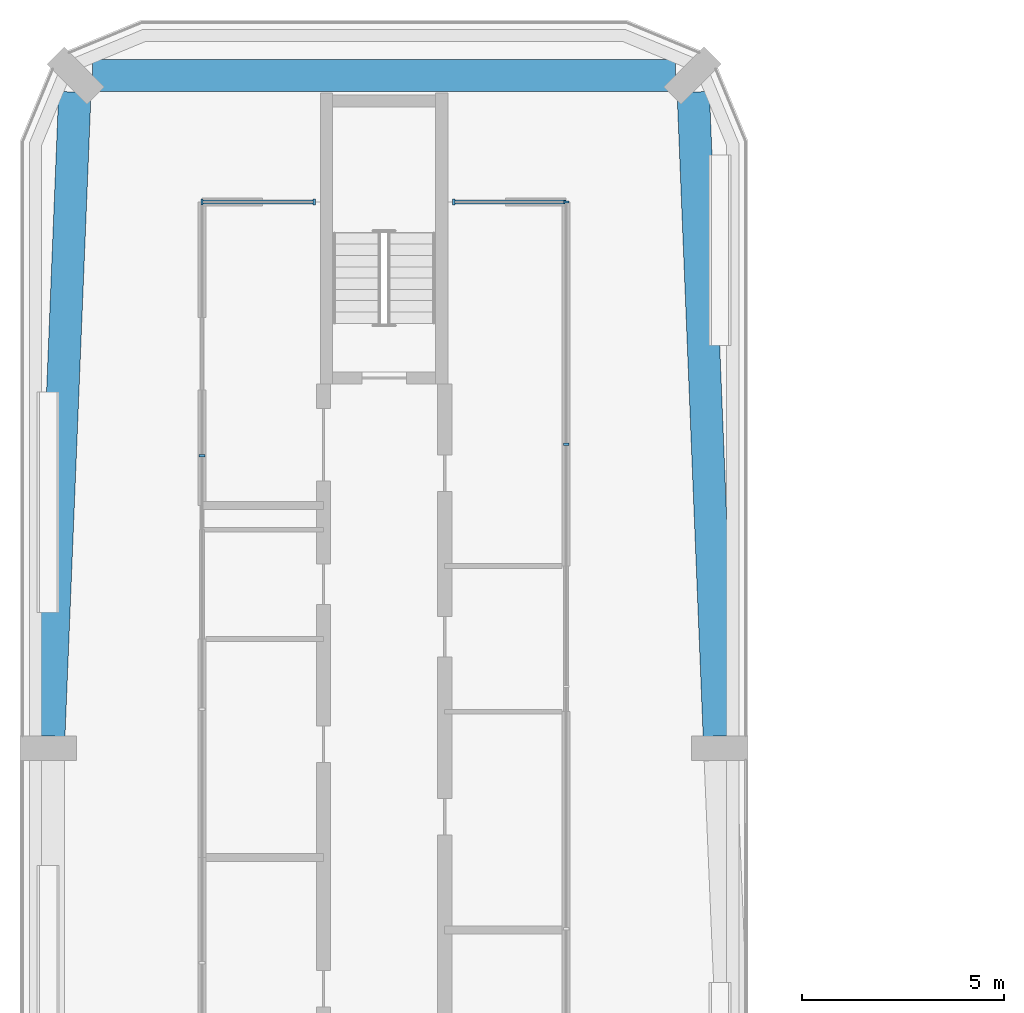
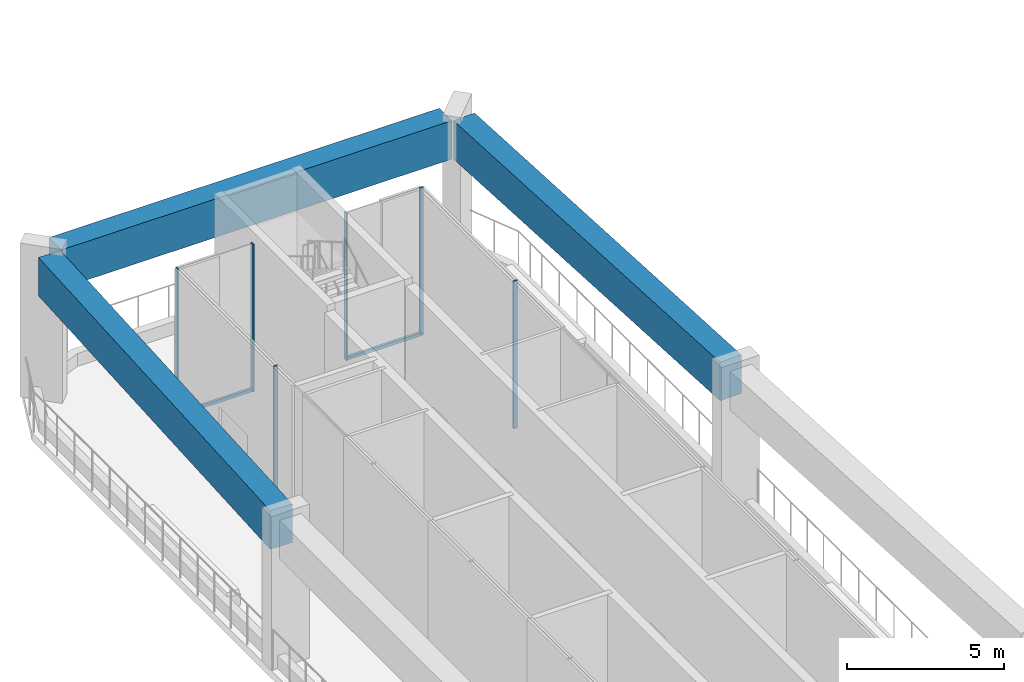
# One storey, part 7 of 24: 8 members, 3 beams, 4 elements without a shape of their own.
"""IFC4 building model written with IfcOpenShell, lengths in metres."""

from ifc_helpers import new_model, si_unit, direction, frame, origin, origin_2d, place, context, subcontext, project, spatial, rectangle, extrude, material, layer, layer_set, material_profile, profile_set, type_object, element, aggregate, save


model = new_model("IFC4")

# Units and contexts
model_context = context("Model", 3, precision=1e-05, world=origin(), true_north=direction((0.0, 1.0)))
body_context = subcontext(model_context, "Body", "Model", "MODEL_VIEW")
ifc_project = project(units=[si_unit("LENGTHUNIT", "METRE"), si_unit("AREAUNIT", "SQUARE_METRE"), si_unit("VOLUMEUNIT", "CUBIC_METRE"), si_unit("PLANEANGLEUNIT", "RADIAN"), si_unit("MASSUNIT", "GRAM", prefix="KILO")], contexts=[model_context])

# Site, building, storey
site_placement = place(None, origin())
site = spatial("IfcSite", under=ifc_project, at=site_placement, CompositionType="ELEMENT")
building_placement = place(site_placement, origin())
building = spatial("IfcBuilding", under=site, at=building_placement, Name="Plateau Cross Towers", CompositionType="ELEMENT")
storey_placement = place(building_placement, frame((0.0, 0.0, 72.300048828125)))
storey = spatial("IfcBuildingStorey", under=building, at=storey_placement, Name="L18", CompositionType="ELEMENT", Elevation=72.300048828125)

# Beams
ifc_material_1 = material(Name="Concrete C60/75", Category="concrete")
ifc_material_profile_1 = material_profile(ifc_material_1, rectangle(XDim=0.800048828125, YDim=1.5, at=origin_2d()), Name="RC 800x1500")
ifc_profile_set_1 = profile_set([ifc_material_profile_1], Name="Concrete C60/75")
beam_type = type_object("IfcBeamType", Name="Belt beam RC 800x1500", PredefinedType="BEAM", material=ifc_profile_set_1)
beam_1_placement = place(storey_placement, frame((17.287841796875, 36.300048828125, 5.0), z_axis=(-0.040487005488, 0.999180065047, 0.0), x_axis=(-0.999180065047, -0.040487005488, 0.0)))
element("IfcBeam", 1, at=beam_1_placement, inside=storey, type_object=beam_type, Name="BELT-L18-07", PredefinedType="BEAM", context=body_context, shape_type="SweptSolid", body=[
    extrude(rectangle(XDim=0.800048828125, YDim=1.5, at=origin_2d()), origin(), (0.0, 0.0, 1.0), 15.931640625),
])
beam_2_placement = place(storey_placement, frame((16.2021484375, 52.62646484375, 5.0), z_axis=(-1.0, 0.0, 0.0), x_axis=(0.0, -1.0, 0.0)))
element("IfcBeam", 2, at=beam_2_placement, inside=storey, type_object=beam_type, Name="BELT-L18-08", PredefinedType="BEAM", context=body_context, shape_type="SweptSolid", body=[
    extrude(rectangle(XDim=0.800048828125, YDim=1.5, at=origin_2d()), origin(), (0.0, 0.0, 1.0), 14.404296875),
])
beam_3_placement = place(storey_placement, frame((1.357177734375, 52.218505859375, 5.0), z_axis=(-0.040487005488, -0.999180065047, 0.0), x_axis=(0.999180065047, -0.040487005488, 0.0)))
element("IfcBeam", 3, at=beam_3_placement, inside=storey, type_object=beam_type, Name="BELT-L18-09", PredefinedType="BEAM", context=body_context, shape_type="SweptSolid", body=[
    extrude(rectangle(XDim=0.800048828125, YDim=1.5, at=origin_2d()), origin(), (0.0, 0.0, 1.0), 15.931640625),
])

# Curtain wall, member
ifc_material_2 = material(Name="Dark low-iron glass", Category="glass")
ifc_layer = layer(ifc_material_2, 0.239990234375)
ifc_layer_set = layer_set([ifc_layer], Name="Dark low-iron glass")
curtain_wall_type = type_object("IfcCurtainWallType", Name="Curtain wall flush unitised CW-B", PredefinedType="NOTDEFINED", material=ifc_layer_set)
curtain_wall_1_placement = place(storey_placement, origin())
curtain_wall_1 = element("IfcCurtainWall", 4, at=curtain_wall_1_placement, inside=storey, type_object=curtain_wall_type, Name="ENV/A/L18/inner0_45_182", PredefinedType="NOTDEFINED")
ifc_material_3 = material(Name="Black anodised aluminium", Category="aluminium")
ifc_material_profile_2 = material_profile(ifc_material_3, rectangle(XDim=0.06005859375, YDim=0.139892578125, at=origin_2d()), Name="MULLION 60x140")
ifc_profile_set_2 = profile_set([ifc_material_profile_2], Name="Black anodised aluminium")
member_type_1 = type_object("IfcMemberType", Name="Mullion 60x140 flush unitised", PredefinedType="MULLION", material=ifc_profile_set_2)
member_1_placement = place(storey_placement, frame((4.5, 43.22998046875, 0.0), z_axis=(0.0, 0.0, 1.0), x_axis=(0.0, 1.0, 0.0)))
member_1 = element("IfcMember", 5, at=member_1_placement, type_object=member_type_1, Name="CW-B mullion 5", PredefinedType="MULLION", context=body_context, shape_type="SweptSolid", body=[
    extrude(rectangle(XDim=0.06005859375, YDim=0.139892578125, at=origin_2d()), origin(), (0.0, 0.0, 1.0), 5.75),
])
aggregate(curtain_wall_1, [member_1])

# Curtain wall, members
curtain_wall_2_placement = place(storey_placement, origin())
curtain_wall_2 = element("IfcCurtainWall", 6, at=curtain_wall_2_placement, inside=storey, type_object=curtain_wall_type, Name="ENV/A/L18/inner0_45_495", PredefinedType="NOTDEFINED")
member_2_placement = place(storey_placement, frame((4.5, 49.5, 0.0), z_axis=(0.0, 0.0, 1.0), x_axis=(1.0, 0.0, 0.0)))
member_2 = element("IfcMember", 7, at=member_2_placement, type_object=member_type_1, Name="CW-B mullion 1", PredefinedType="MULLION", context=body_context, shape_type="SweptSolid", body=[
    extrude(rectangle(XDim=0.06005859375, YDim=0.139892578125, at=origin_2d()), origin(), (0.0, 0.0, 1.0), 5.75),
])
member_3_placement = place(storey_placement, frame((7.27490234375, 49.5, 0.0), z_axis=(0.0, 0.0, 1.0), x_axis=(1.0, 0.0, 0.0)))
member_3 = element("IfcMember", 8, at=member_3_placement, type_object=member_type_1, Name="CW-B mullion 2", PredefinedType="MULLION", context=body_context, shape_type="SweptSolid", body=[
    extrude(rectangle(XDim=0.06005859375, YDim=0.139892578125, at=origin_2d()), origin(), (0.0, 0.0, 1.0), 5.75),
])

# Curtain wall, member
curtain_wall_3_placement = place(storey_placement, origin())
curtain_wall_3 = element("IfcCurtainWall", 9, at=curtain_wall_3_placement, inside=storey, type_object=curtain_wall_type, Name="ENV/A/L18/inner0_107_495", PredefinedType="NOTDEFINED")
member_4_placement = place(storey_placement, frame((10.72509765625, 49.5, 0.0), z_axis=(0.0, 0.0, 1.0), x_axis=(1.0, 0.0, 0.0)))
member_4 = element("IfcMember", 10, at=member_4_placement, type_object=member_type_1, Name="CW-B mullion 1", PredefinedType="MULLION", context=body_context, shape_type="SweptSolid", body=[
    extrude(rectangle(XDim=0.06005859375, YDim=0.139892578125, at=origin_2d()), origin(), (0.0, 0.0, 1.0), 5.75),
])

# Curtain wall, members
curtain_wall_4_placement = place(storey_placement, origin())
curtain_wall_4 = element("IfcCurtainWall", 11, at=curtain_wall_4_placement, inside=storey, type_object=curtain_wall_type, Name="ENV/A/L18/inner0_135_495", PredefinedType="NOTDEFINED")
member_5_placement = place(storey_placement, frame((13.5, 49.5, 0.0), z_axis=(0.0, 0.0, 1.0), x_axis=(0.0, -1.0, 0.0)))
member_5 = element("IfcMember", 12, at=member_5_placement, type_object=member_type_1, Name="CW-B mullion 1", PredefinedType="MULLION", context=body_context, shape_type="SweptSolid", body=[
    extrude(rectangle(XDim=0.06005859375, YDim=0.139892578125, at=origin_2d()), origin(), (0.0, 0.0, 1.0), 5.75),
])
member_6_placement = place(storey_placement, frame((13.5, 43.511962890625, 0.0), z_axis=(0.0, 0.0, 1.0), x_axis=(0.0, -1.0, 0.0)))
member_6 = element("IfcMember", 13, at=member_6_placement, type_object=member_type_1, Name="CW-B mullion 2", PredefinedType="MULLION", context=body_context, shape_type="SweptSolid", body=[
    extrude(rectangle(XDim=0.06005859375, YDim=0.139892578125, at=origin_2d()), origin(), (0.0, 0.0, 1.0), 5.75),
])
aggregate(curtain_wall_4, [member_5, member_6])

# Member
ifc_material_profile_3 = material_profile(ifc_material_3, rectangle(XDim=0.10009765625, YDim=0.1201171875, at=origin_2d()), Name="TRANSOM 100x120")
ifc_profile_set_3 = profile_set([ifc_material_profile_3], Name="Black anodised aluminium")
member_type_2 = type_object("IfcMemberType", Name="Transom 100x120 flush unitised", PredefinedType="USERDEFINED", material=ifc_profile_set_3)
member_7_placement = place(storey_placement, frame((4.5, 49.5, 0.06005859375), z_axis=(1.0, 0.0, 0.0), x_axis=(0.0, 1.0, 0.0)))
member_7 = element("IfcMember", 14, at=member_7_placement, type_object=member_type_2, Name="CW-B transom", ObjectType="TRANSOM", PredefinedType="USERDEFINED", context=body_context, shape_type="SweptSolid", body=[
    extrude(rectangle(XDim=0.10009765625, YDim=0.1201171875, at=origin_2d()), origin(), (0.0, 0.0, 1.0), 2.77490234375),
])

aggregate(curtain_wall_2, [member_2, member_3, member_7])

member_8_placement = place(storey_placement, frame((10.72509765625, 49.5, 0.06005859375), z_axis=(1.0, 0.0, 0.0), x_axis=(0.0, 1.0, 0.0)))
member_8 = element("IfcMember", 15, at=member_8_placement, type_object=member_type_2, Name="CW-B transom", ObjectType="TRANSOM", PredefinedType="USERDEFINED", context=body_context, shape_type="SweptSolid", body=[
    extrude(rectangle(XDim=0.10009765625, YDim=0.1201171875, at=origin_2d()), origin(), (0.0, 0.0, 1.0), 2.77490234375),
])

aggregate(curtain_wall_3, [member_4, member_8])

save(model, "model.ifc")
